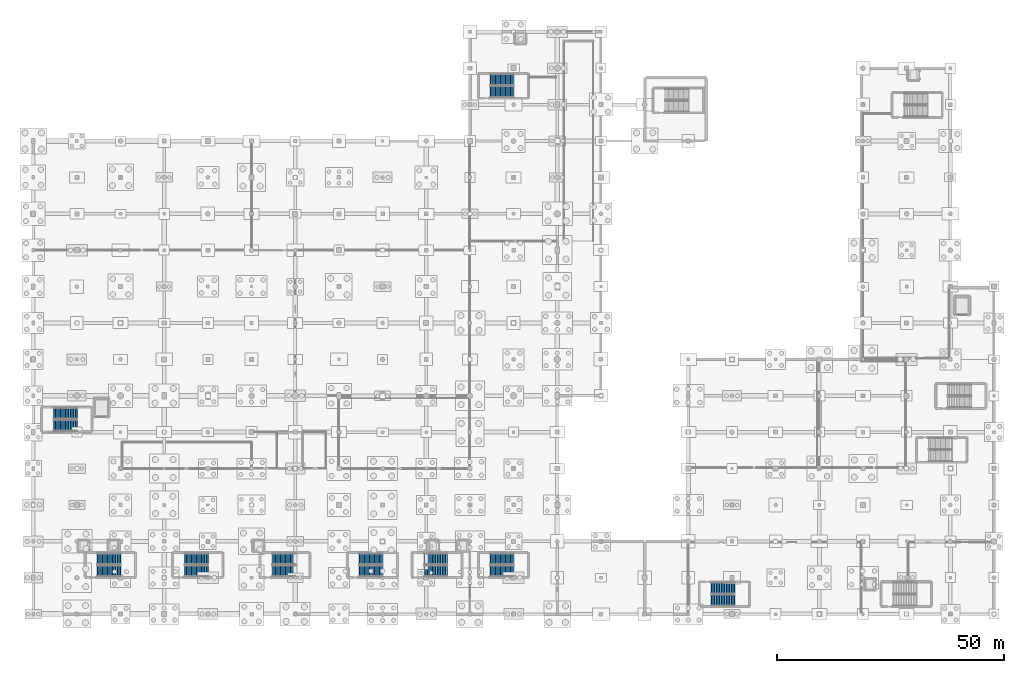
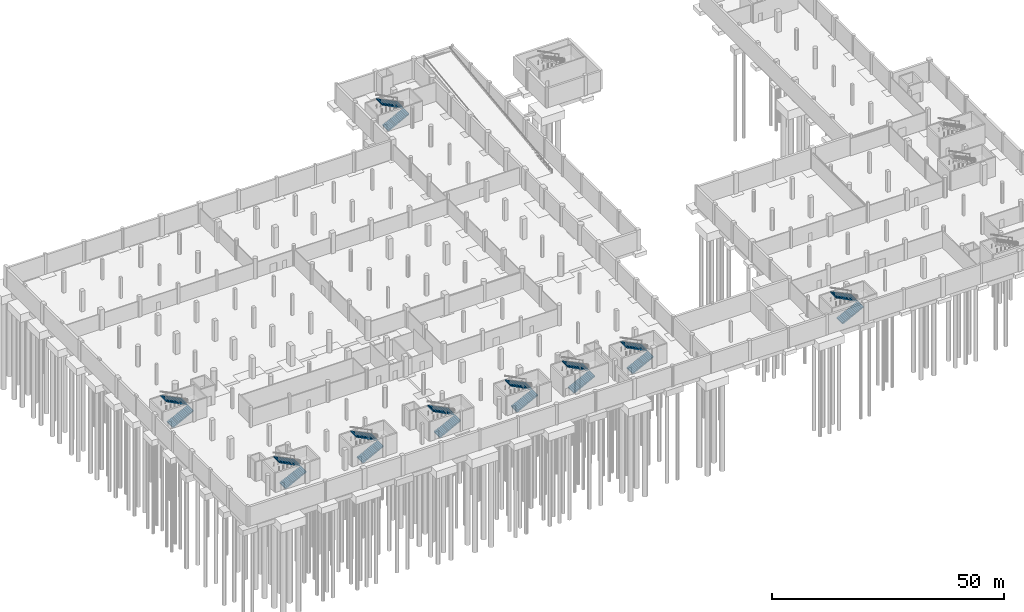
# One storey, part 32 of 44: 18 stair flights, 9 elements without a shape of their own.
"""IFC4 building model written with IfcOpenShell, lengths in metres."""

from ifc_helpers import new_model, si_unit, direction, frame, origin, place, context, subcontext, project, spatial, polyline, outline, extrude, material, type_object, element, aggregate, save


model = new_model("IFC4")

# Units and contexts
model_context = context("Model", 3, precision=1e-05, world=origin(), true_north=direction((0.0, 1.0)))
body_context = subcontext(model_context, "Body", "Model", "MODEL_VIEW")
ifc_project = project(units=[si_unit("LENGTHUNIT", "METRE"), si_unit("AREAUNIT", "SQUARE_METRE"), si_unit("VOLUMEUNIT", "CUBIC_METRE"), si_unit("PLANEANGLEUNIT", "RADIAN"), si_unit("MASSUNIT", "GRAM", prefix="KILO")], contexts=[model_context])

# Site, building, storey
site_placement = place(None, origin())
site = spatial("IfcSite", under=ifc_project, at=site_placement, CompositionType="ELEMENT")
building_placement = place(site_placement, origin())
building = spatial("IfcBuilding", under=site, at=building_placement, Name="Danafjord Basin Convention Centre", CompositionType="ELEMENT")
storey_placement = place(building_placement, frame((0.0, 0.0, -5.39990234375)))
storey = spatial("IfcBuildingStorey", under=building, at=storey_placement, Name="B1", CompositionType="ELEMENT", Elevation=-5.39990234375)

# Stair, stair flights
ifc_material_1 = material(Name="Concrete C40/50", Category="concrete")
stair_type = type_object("IfcStairType", Name="STAIR-STR-C01", PredefinedType="TWO_STRAIGHT_RUN_STAIR", material=ifc_material_1)
stair_1_placement = place(storey_placement, origin())
stair_1 = element("IfcStair", 1, at=stair_1_placement, inside=storey, type_object=stair_type, Name="B1 West Harbour Core Stair 1", PredefinedType="HALF_TURN_STAIR")
ifc_material_2 = material(Name="Precast concrete C40/50", Category="concrete")
stair_flight_type = type_object("IfcStairFlightType", Name="SFLT-STD", PredefinedType="STRAIGHT", material=ifc_material_2)
stair_flight_1_placement = place(storey_placement, frame((14.1298828125, 17.4599609375, 0.0), z_axis=(0.0, 0.0, 1.0), x_axis=(1.0, 0.0, 0.0)))
stair_flight_1 = element("IfcStairFlight", 2, at=stair_flight_1_placement, type_object=stair_flight_type, Name="ST-01 flight 1", NumberOfRisers=15, NumberOfTreads=14, PredefinedType="STRAIGHT", RiserHeight=0.18, TreadLength=0.365, context=body_context, shape_type="SweptSolid", body=[
    extrude(outline(polyline([(-0.06494140625, -0.14990234375), (-0.06494140625, -0.00390625), (0.0, -0.00390625), (0.0, 0.179931640625), (0.364990234375, 0.179931640625), (0.364990234375, 0.360107421875), (0.72998046875, 0.360107421875), (0.72998046875, 0.5400390625), (1.094970703125, 0.5400390625), (1.094970703125, 0.719970703125), (1.4599609375, 0.719970703125), (1.4599609375, 0.89990234375), (1.824951171875, 0.89990234375), (1.824951171875, 1.080078125), (2.18994140625, 1.080078125), (2.18994140625, 1.260009765625), (2.554931640625, 1.260009765625), (2.554931640625, 1.43994140625), (2.919921875, 1.43994140625), (2.919921875, 1.6201171875), (3.284912109375, 1.6201171875), (3.284912109375, 1.800048828125), (3.64990234375, 1.800048828125), (3.64990234375, 1.97998046875), (4.014892578125, 1.97998046875), (4.014892578125, 2.159912109375), (4.3798828125, 2.159912109375), (4.3798828125, 2.340087890625), (4.7451171875, 2.340087890625), (4.7451171875, 2.52001953125), (5.110107421875, 2.52001953125), (5.110107421875, 2.699951171875), (5.175048828125, 2.696044921875), (5.175048828125, 2.352783203125), (0.3388671875, -0.14990234375), (-0.06494140625, -0.14990234375)])), frame((0.0, 1.25, 0.0), z_axis=(0.0, -1.0, 0.0), x_axis=(1.0, 0.0, 0.0)), (0.0, 0.0, 1.0), 2.5),
])
stair_flight_2_placement = place(storey_placement, frame((19.239990234375, 20.10009765625, 2.699951171875), z_axis=(0.0, 0.0, 1.0), x_axis=(-1.0, 0.0, 0.0)))
stair_flight_2 = element("IfcStairFlight", 3, at=stair_flight_2_placement, type_object=stair_flight_type, Name="ST-01 flight 2", NumberOfRisers=15, NumberOfTreads=14, PredefinedType="STRAIGHT", RiserHeight=0.18, TreadLength=0.365, context=body_context, shape_type="SweptSolid", body=[
    extrude(outline(polyline([(-0.06494140625, -0.14990234375), (-0.06494140625, -0.00390625), (0.0, -0.00390625), (0.0, 0.179931640625), (0.364990234375, 0.179931640625), (0.364990234375, 0.360107421875), (0.72998046875, 0.360107421875), (0.72998046875, 0.5400390625), (1.094970703125, 0.5400390625), (1.094970703125, 0.719970703125), (1.4599609375, 0.719970703125), (1.4599609375, 0.89990234375), (1.824951171875, 0.89990234375), (1.824951171875, 1.080078125), (2.18994140625, 1.080078125), (2.18994140625, 1.260009765625), (2.554931640625, 1.260009765625), (2.554931640625, 1.43994140625), (2.919921875, 1.43994140625), (2.919921875, 1.6201171875), (3.284912109375, 1.6201171875), (3.284912109375, 1.800048828125), (3.64990234375, 1.800048828125), (3.64990234375, 1.97998046875), (4.014892578125, 1.97998046875), (4.014892578125, 2.159912109375), (4.3798828125, 2.159912109375), (4.3798828125, 2.340087890625), (4.7451171875, 2.340087890625), (4.7451171875, 2.52001953125), (5.110107421875, 2.52001953125), (5.110107421875, 2.699951171875), (5.175048828125, 2.696044921875), (5.175048828125, 2.352783203125), (0.3388671875, -0.14990234375), (-0.06494140625, -0.14990234375)])), frame((0.0, 1.25, 0.0), z_axis=(0.0, -1.0, 0.0), x_axis=(1.0, 0.0, 0.0)), (0.0, 0.0, 1.0), 2.5),
])
aggregate(stair_1, [stair_flight_1, stair_flight_2])

stair_2_placement = place(storey_placement, origin())
stair_2 = element("IfcStair", 4, at=stair_2_placement, inside=storey, type_object=stair_type, Name="B1 Central Harbour Core Stair 1", PredefinedType="HALF_TURN_STAIR")
stair_flight_3_placement = place(storey_placement, frame((85.929931640625, 17.4599609375, 0.0), z_axis=(0.0, 0.0, 1.0), x_axis=(1.0, 0.0, 0.0)))
stair_flight_3 = element("IfcStairFlight", 5, at=stair_flight_3_placement, type_object=stair_flight_type, Name="ST-03 flight 1", NumberOfRisers=15, NumberOfTreads=14, PredefinedType="STRAIGHT", RiserHeight=0.18, TreadLength=0.365, context=body_context, shape_type="SweptSolid", body=[
    extrude(outline(polyline([(-0.06494140625, -0.14990234375), (-0.06494140625, -0.00390625), (0.0, -0.00390625), (0.0, 0.179931640625), (0.364990234375, 0.179931640625), (0.364990234375, 0.360107421875), (0.72998046875, 0.360107421875), (0.72998046875, 0.5400390625), (1.094970703125, 0.5400390625), (1.094970703125, 0.719970703125), (1.4599609375, 0.719970703125), (1.4599609375, 0.89990234375), (1.824951171875, 0.89990234375), (1.824951171875, 1.080078125), (2.18994140625, 1.080078125), (2.18994140625, 1.260009765625), (2.554931640625, 1.260009765625), (2.554931640625, 1.43994140625), (2.919921875, 1.43994140625), (2.919921875, 1.6201171875), (3.284912109375, 1.6201171875), (3.284912109375, 1.800048828125), (3.64990234375, 1.800048828125), (3.64990234375, 1.97998046875), (4.014892578125, 1.97998046875), (4.014892578125, 2.159912109375), (4.3798828125, 2.159912109375), (4.3798828125, 2.340087890625), (4.7451171875, 2.340087890625), (4.7451171875, 2.52001953125), (5.110107421875, 2.52001953125), (5.110107421875, 2.699951171875), (5.175048828125, 2.696044921875), (5.175048828125, 2.352783203125), (0.3388671875, -0.14990234375), (-0.06494140625, -0.14990234375)])), frame((0.0, 1.25, 0.0), z_axis=(0.0, -1.0, 0.0), x_axis=(1.0, 0.0, 0.0)), (0.0, 0.0, 1.0), 2.5),
])
stair_flight_4_placement = place(storey_placement, frame((91.0400390625, 20.10009765625, 2.699951171875), z_axis=(0.0, 0.0, 1.0), x_axis=(-1.0, 0.0, 0.0)))
stair_flight_4 = element("IfcStairFlight", 6, at=stair_flight_4_placement, type_object=stair_flight_type, Name="ST-03 flight 2", NumberOfRisers=15, NumberOfTreads=14, PredefinedType="STRAIGHT", RiserHeight=0.18, TreadLength=0.365, context=body_context, shape_type="SweptSolid", body=[
    extrude(outline(polyline([(-0.06494140625, -0.14990234375), (-0.06494140625, -0.00390625), (0.0, -0.00390625), (0.0, 0.179931640625), (0.364990234375, 0.179931640625), (0.364990234375, 0.360107421875), (0.72998046875, 0.360107421875), (0.72998046875, 0.5400390625), (1.094970703125, 0.5400390625), (1.094970703125, 0.719970703125), (1.4599609375, 0.719970703125), (1.4599609375, 0.89990234375), (1.824951171875, 0.89990234375), (1.824951171875, 1.080078125), (2.18994140625, 1.080078125), (2.18994140625, 1.260009765625), (2.554931640625, 1.260009765625), (2.554931640625, 1.43994140625), (2.919921875, 1.43994140625), (2.919921875, 1.6201171875), (3.284912109375, 1.6201171875), (3.284912109375, 1.800048828125), (3.64990234375, 1.800048828125), (3.64990234375, 1.97998046875), (4.014892578125, 1.97998046875), (4.014892578125, 2.159912109375), (4.3798828125, 2.159912109375), (4.3798828125, 2.340087890625), (4.7451171875, 2.340087890625), (4.7451171875, 2.52001953125), (5.110107421875, 2.52001953125), (5.110107421875, 2.699951171875), (5.175048828125, 2.696044921875), (5.175048828125, 2.352783203125), (0.3388671875, -0.14990234375), (-0.06494140625, -0.14990234375)])), frame((0.0, 1.25, 0.0), z_axis=(0.0, -1.0, 0.0), x_axis=(1.0, 0.0, 0.0)), (0.0, 0.0, 1.0), 2.5),
])
aggregate(stair_2, [stair_flight_3, stair_flight_4])

stair_3_placement = place(storey_placement, origin())
stair_3 = element("IfcStair", 7, at=stair_3_placement, inside=storey, type_object=stair_type, Name="B1 Mid-Arc Meeting Core Stair 1", PredefinedType="HALF_TURN_STAIR")
stair_flight_5_placement = place(storey_placement, frame((52.530029296875, 17.4599609375, 0.0), z_axis=(0.0, 0.0, 1.0), x_axis=(1.0, 0.0, 0.0)))
stair_flight_5 = element("IfcStairFlight", 8, at=stair_flight_5_placement, type_object=stair_flight_type, Name="ST-05 flight 1", NumberOfRisers=15, NumberOfTreads=14, PredefinedType="STRAIGHT", RiserHeight=0.18, TreadLength=0.365, context=body_context, shape_type="SweptSolid", body=[
    extrude(outline(polyline([(-0.06494140625, -0.14990234375), (-0.06494140625, -0.00390625), (0.0, -0.00390625), (0.0, 0.179931640625), (0.364990234375, 0.179931640625), (0.364990234375, 0.360107421875), (0.72998046875, 0.360107421875), (0.72998046875, 0.5400390625), (1.094970703125, 0.5400390625), (1.094970703125, 0.719970703125), (1.4599609375, 0.719970703125), (1.4599609375, 0.89990234375), (1.824951171875, 0.89990234375), (1.824951171875, 1.080078125), (2.18994140625, 1.080078125), (2.18994140625, 1.260009765625), (2.554931640625, 1.260009765625), (2.554931640625, 1.43994140625), (2.919921875, 1.43994140625), (2.919921875, 1.6201171875), (3.284912109375, 1.6201171875), (3.284912109375, 1.800048828125), (3.64990234375, 1.800048828125), (3.64990234375, 1.97998046875), (4.014892578125, 1.97998046875), (4.014892578125, 2.159912109375), (4.3798828125, 2.159912109375), (4.3798828125, 2.340087890625), (4.7451171875, 2.340087890625), (4.7451171875, 2.52001953125), (5.110107421875, 2.52001953125), (5.110107421875, 2.699951171875), (5.175048828125, 2.696044921875), (5.175048828125, 2.352783203125), (0.3388671875, -0.14990234375), (-0.06494140625, -0.14990234375)])), frame((0.0, 1.25, 0.0), z_axis=(0.0, -1.0, 0.0), x_axis=(1.0, 0.0, 0.0)), (0.0, 0.0, 1.0), 2.5),
])
stair_flight_6_placement = place(storey_placement, frame((57.639892578125, 20.10009765625, 2.699951171875), z_axis=(0.0, 0.0, 1.0), x_axis=(-1.0, 0.0, 0.0)))
stair_flight_6 = element("IfcStairFlight", 9, at=stair_flight_6_placement, type_object=stair_flight_type, Name="ST-05 flight 2", NumberOfRisers=15, NumberOfTreads=14, PredefinedType="STRAIGHT", RiserHeight=0.18, TreadLength=0.365, context=body_context, shape_type="SweptSolid", body=[
    extrude(outline(polyline([(-0.06494140625, -0.14990234375), (-0.06494140625, -0.00390625), (0.0, -0.00390625), (0.0, 0.179931640625), (0.364990234375, 0.179931640625), (0.364990234375, 0.360107421875), (0.72998046875, 0.360107421875), (0.72998046875, 0.5400390625), (1.094970703125, 0.5400390625), (1.094970703125, 0.719970703125), (1.4599609375, 0.719970703125), (1.4599609375, 0.89990234375), (1.824951171875, 0.89990234375), (1.824951171875, 1.080078125), (2.18994140625, 1.080078125), (2.18994140625, 1.260009765625), (2.554931640625, 1.260009765625), (2.554931640625, 1.43994140625), (2.919921875, 1.43994140625), (2.919921875, 1.6201171875), (3.284912109375, 1.6201171875), (3.284912109375, 1.800048828125), (3.64990234375, 1.800048828125), (3.64990234375, 1.97998046875), (4.014892578125, 1.97998046875), (4.014892578125, 2.159912109375), (4.3798828125, 2.159912109375), (4.3798828125, 2.340087890625), (4.7451171875, 2.340087890625), (4.7451171875, 2.52001953125), (5.110107421875, 2.52001953125), (5.110107421875, 2.699951171875), (5.175048828125, 2.696044921875), (5.175048828125, 2.352783203125), (0.3388671875, -0.14990234375), (-0.06494140625, -0.14990234375)])), frame((0.0, 1.25, 0.0), z_axis=(0.0, -1.0, 0.0), x_axis=(1.0, 0.0, 0.0)), (0.0, 0.0, 1.0), 2.5),
])
aggregate(stair_3, [stair_flight_5, stair_flight_6])

stair_4_placement = place(storey_placement, origin())
stair_4 = element("IfcStair", 10, at=stair_4_placement, inside=storey, type_object=stair_type, Name="B1 West Exhibition Core Stair 1", PredefinedType="HALF_TURN_STAIR")
stair_flight_7_placement = place(storey_placement, frame((4.530029296875, 49.4599609375, 0.0), z_axis=(0.0, 0.0, 1.0), x_axis=(1.0, 0.0, 0.0)))
stair_flight_7 = element("IfcStairFlight", 11, at=stair_flight_7_placement, type_object=stair_flight_type, Name="ST-07 flight 1", NumberOfRisers=15, NumberOfTreads=14, PredefinedType="STRAIGHT", RiserHeight=0.18, TreadLength=0.365, context=body_context, shape_type="SweptSolid", body=[
    extrude(outline(polyline([(-0.06494140625, -0.14990234375), (-0.06494140625, -0.00390625), (0.0, -0.00390625), (0.0, 0.179931640625), (0.364990234375, 0.179931640625), (0.364990234375, 0.360107421875), (0.72998046875, 0.360107421875), (0.72998046875, 0.5400390625), (1.094970703125, 0.5400390625), (1.094970703125, 0.719970703125), (1.4599609375, 0.719970703125), (1.4599609375, 0.89990234375), (1.824951171875, 0.89990234375), (1.824951171875, 1.080078125), (2.18994140625, 1.080078125), (2.18994140625, 1.260009765625), (2.554931640625, 1.260009765625), (2.554931640625, 1.43994140625), (2.919921875, 1.43994140625), (2.919921875, 1.6201171875), (3.284912109375, 1.6201171875), (3.284912109375, 1.800048828125), (3.64990234375, 1.800048828125), (3.64990234375, 1.97998046875), (4.014892578125, 1.97998046875), (4.014892578125, 2.159912109375), (4.3798828125, 2.159912109375), (4.3798828125, 2.340087890625), (4.7451171875, 2.340087890625), (4.7451171875, 2.52001953125), (5.110107421875, 2.52001953125), (5.110107421875, 2.699951171875), (5.175048828125, 2.696044921875), (5.175048828125, 2.352783203125), (0.3388671875, -0.14990234375), (-0.06494140625, -0.14990234375)])), frame((0.0, 1.25, 0.0), z_axis=(0.0, -1.0, 0.0), x_axis=(1.0, 0.0, 0.0)), (0.0, 0.0, 1.0), 2.5),
])
stair_flight_8_placement = place(storey_placement, frame((9.639892578125, 52.10009765625, 2.699951171875), z_axis=(0.0, 0.0, 1.0), x_axis=(-1.0, 0.0, 0.0)))
stair_flight_8 = element("IfcStairFlight", 12, at=stair_flight_8_placement, type_object=stair_flight_type, Name="ST-07 flight 2", NumberOfRisers=15, NumberOfTreads=14, PredefinedType="STRAIGHT", RiserHeight=0.18, TreadLength=0.365, context=body_context, shape_type="SweptSolid", body=[
    extrude(outline(polyline([(-0.06494140625, -0.14990234375), (-0.06494140625, -0.00390625), (0.0, -0.00390625), (0.0, 0.179931640625), (0.364990234375, 0.179931640625), (0.364990234375, 0.360107421875), (0.72998046875, 0.360107421875), (0.72998046875, 0.5400390625), (1.094970703125, 0.5400390625), (1.094970703125, 0.719970703125), (1.4599609375, 0.719970703125), (1.4599609375, 0.89990234375), (1.824951171875, 0.89990234375), (1.824951171875, 1.080078125), (2.18994140625, 1.080078125), (2.18994140625, 1.260009765625), (2.554931640625, 1.260009765625), (2.554931640625, 1.43994140625), (2.919921875, 1.43994140625), (2.919921875, 1.6201171875), (3.284912109375, 1.6201171875), (3.284912109375, 1.800048828125), (3.64990234375, 1.800048828125), (3.64990234375, 1.97998046875), (4.014892578125, 1.97998046875), (4.014892578125, 2.159912109375), (4.3798828125, 2.159912109375), (4.3798828125, 2.340087890625), (4.7451171875, 2.340087890625), (4.7451171875, 2.52001953125), (5.110107421875, 2.52001953125), (5.110107421875, 2.699951171875), (5.175048828125, 2.696044921875), (5.175048828125, 2.352783203125), (0.3388671875, -0.14990234375), (-0.06494140625, -0.14990234375)])), frame((0.0, 1.25, 0.0), z_axis=(0.0, -1.0, 0.0), x_axis=(1.0, 0.0, 0.0)), (0.0, 0.0, 1.0), 2.5),
])
aggregate(stair_4, [stair_flight_7, stair_flight_8])

stair_5_placement = place(storey_placement, origin())
stair_5 = element("IfcStair", 13, at=stair_5_placement, inside=storey, type_object=stair_type, Name="B1 North Exhibition Core Stair 1", PredefinedType="HALF_TURN_STAIR")
stair_flight_9_placement = place(storey_placement, frame((100.530029296875, 122.81005859375, 0.0), z_axis=(0.0, 0.0, 1.0), x_axis=(1.0, 0.0, 0.0)))
stair_flight_9 = element("IfcStairFlight", 14, at=stair_flight_9_placement, type_object=stair_flight_type, Name="ST-09 flight 1", NumberOfRisers=15, NumberOfTreads=14, PredefinedType="STRAIGHT", RiserHeight=0.18, TreadLength=0.365, context=body_context, shape_type="SweptSolid", body=[
    extrude(outline(polyline([(-0.06494140625, -0.14990234375), (-0.06494140625, -0.00390625), (0.0, -0.00390625), (0.0, 0.179931640625), (0.364990234375, 0.179931640625), (0.364990234375, 0.360107421875), (0.72998046875, 0.360107421875), (0.72998046875, 0.5400390625), (1.094970703125, 0.5400390625), (1.094970703125, 0.719970703125), (1.4599609375, 0.719970703125), (1.4599609375, 0.89990234375), (1.824951171875, 0.89990234375), (1.824951171875, 1.080078125), (2.18994140625, 1.080078125), (2.18994140625, 1.260009765625), (2.554931640625, 1.260009765625), (2.554931640625, 1.43994140625), (2.919921875, 1.43994140625), (2.919921875, 1.6201171875), (3.284912109375, 1.6201171875), (3.284912109375, 1.800048828125), (3.64990234375, 1.800048828125), (3.64990234375, 1.97998046875), (4.014892578125, 1.97998046875), (4.014892578125, 2.159912109375), (4.3798828125, 2.159912109375), (4.3798828125, 2.340087890625), (4.7451171875, 2.340087890625), (4.7451171875, 2.52001953125), (5.110107421875, 2.52001953125), (5.110107421875, 2.699951171875), (5.175048828125, 2.696044921875), (5.175048828125, 2.352783203125), (0.3388671875, -0.14990234375), (-0.06494140625, -0.14990234375)])), frame((0.0, 1.25, 0.0), z_axis=(0.0, -1.0, 0.0), x_axis=(1.0, 0.0, 0.0)), (0.0, 0.0, 1.0), 2.5),
])
stair_flight_10_placement = place(storey_placement, frame((105.639892578125, 125.449951171875, 2.699951171875), z_axis=(0.0, 0.0, 1.0), x_axis=(-1.0, 0.0, 0.0)))
stair_flight_10 = element("IfcStairFlight", 15, at=stair_flight_10_placement, type_object=stair_flight_type, Name="ST-09 flight 2", NumberOfRisers=15, NumberOfTreads=14, PredefinedType="STRAIGHT", RiserHeight=0.18, TreadLength=0.365, context=body_context, shape_type="SweptSolid", body=[
    extrude(outline(polyline([(-0.06494140625, -0.14990234375), (-0.06494140625, -0.00390625), (0.0, -0.00390625), (0.0, 0.179931640625), (0.364990234375, 0.179931640625), (0.364990234375, 0.360107421875), (0.72998046875, 0.360107421875), (0.72998046875, 0.5400390625), (1.094970703125, 0.5400390625), (1.094970703125, 0.719970703125), (1.4599609375, 0.719970703125), (1.4599609375, 0.89990234375), (1.824951171875, 0.89990234375), (1.824951171875, 1.080078125), (2.18994140625, 1.080078125), (2.18994140625, 1.260009765625), (2.554931640625, 1.260009765625), (2.554931640625, 1.43994140625), (2.919921875, 1.43994140625), (2.919921875, 1.6201171875), (3.284912109375, 1.6201171875), (3.284912109375, 1.800048828125), (3.64990234375, 1.800048828125), (3.64990234375, 1.97998046875), (4.014892578125, 1.97998046875), (4.014892578125, 2.159912109375), (4.3798828125, 2.159912109375), (4.3798828125, 2.340087890625), (4.7451171875, 2.340087890625), (4.7451171875, 2.52001953125), (5.110107421875, 2.52001953125), (5.110107421875, 2.699951171875), (5.175048828125, 2.696044921875), (5.175048828125, 2.352783203125), (0.3388671875, -0.14990234375), (-0.06494140625, -0.14990234375)])), frame((0.0, 1.25, 0.0), z_axis=(0.0, -1.0, 0.0), x_axis=(1.0, 0.0, 0.0)), (0.0, 0.0, 1.0), 2.5),
])
aggregate(stair_5, [stair_flight_9, stair_flight_10])

stair_6_placement = place(storey_placement, origin())
stair_6 = element("IfcStair", 16, at=stair_6_placement, inside=storey, type_object=stair_type, Name="B1 West Harbour Escape Stair 2", PredefinedType="HALF_TURN_STAIR")
stair_flight_11_placement = place(storey_placement, frame((33.330078125, 17.4599609375, 0.0), z_axis=(0.0, 0.0, 1.0), x_axis=(1.0, 0.0, 0.0)))
stair_flight_11 = element("IfcStairFlight", 17, at=stair_flight_11_placement, type_object=stair_flight_type, Name="ST-02 flight 1", NumberOfRisers=15, NumberOfTreads=14, PredefinedType="STRAIGHT", RiserHeight=0.18, TreadLength=0.365, context=body_context, shape_type="SweptSolid", body=[
    extrude(outline(polyline([(-0.06494140625, -0.14990234375), (-0.06494140625, -0.00390625), (0.0, -0.00390625), (0.0, 0.179931640625), (0.364990234375, 0.179931640625), (0.364990234375, 0.360107421875), (0.72998046875, 0.360107421875), (0.72998046875, 0.5400390625), (1.094970703125, 0.5400390625), (1.094970703125, 0.719970703125), (1.4599609375, 0.719970703125), (1.4599609375, 0.89990234375), (1.824951171875, 0.89990234375), (1.824951171875, 1.080078125), (2.18994140625, 1.080078125), (2.18994140625, 1.260009765625), (2.554931640625, 1.260009765625), (2.554931640625, 1.43994140625), (2.919921875, 1.43994140625), (2.919921875, 1.6201171875), (3.284912109375, 1.6201171875), (3.284912109375, 1.800048828125), (3.64990234375, 1.800048828125), (3.64990234375, 1.97998046875), (4.014892578125, 1.97998046875), (4.014892578125, 2.159912109375), (4.3798828125, 2.159912109375), (4.3798828125, 2.340087890625), (4.7451171875, 2.340087890625), (4.7451171875, 2.52001953125), (5.110107421875, 2.52001953125), (5.110107421875, 2.699951171875), (5.175048828125, 2.696044921875), (5.175048828125, 2.352783203125), (0.3388671875, -0.14990234375), (-0.06494140625, -0.14990234375)])), frame((0.0, 1.25, 0.0), z_axis=(0.0, -1.0, 0.0), x_axis=(1.0, 0.0, 0.0)), (0.0, 0.0, 1.0), 2.5),
])
stair_flight_12_placement = place(storey_placement, frame((38.43994140625, 20.10009765625, 2.699951171875), z_axis=(0.0, 0.0, 1.0), x_axis=(-1.0, 0.0, 0.0)))
stair_flight_12 = element("IfcStairFlight", 18, at=stair_flight_12_placement, type_object=stair_flight_type, Name="ST-02 flight 2", NumberOfRisers=15, NumberOfTreads=14, PredefinedType="STRAIGHT", RiserHeight=0.18, TreadLength=0.365, context=body_context, shape_type="SweptSolid", body=[
    extrude(outline(polyline([(-0.06494140625, -0.14990234375), (-0.06494140625, -0.00390625), (0.0, -0.00390625), (0.0, 0.179931640625), (0.364990234375, 0.179931640625), (0.364990234375, 0.360107421875), (0.72998046875, 0.360107421875), (0.72998046875, 0.5400390625), (1.094970703125, 0.5400390625), (1.094970703125, 0.719970703125), (1.4599609375, 0.719970703125), (1.4599609375, 0.89990234375), (1.824951171875, 0.89990234375), (1.824951171875, 1.080078125), (2.18994140625, 1.080078125), (2.18994140625, 1.260009765625), (2.554931640625, 1.260009765625), (2.554931640625, 1.43994140625), (2.919921875, 1.43994140625), (2.919921875, 1.6201171875), (3.284912109375, 1.6201171875), (3.284912109375, 1.800048828125), (3.64990234375, 1.800048828125), (3.64990234375, 1.97998046875), (4.014892578125, 1.97998046875), (4.014892578125, 2.159912109375), (4.3798828125, 2.159912109375), (4.3798828125, 2.340087890625), (4.7451171875, 2.340087890625), (4.7451171875, 2.52001953125), (5.110107421875, 2.52001953125), (5.110107421875, 2.699951171875), (5.175048828125, 2.696044921875), (5.175048828125, 2.352783203125), (0.3388671875, -0.14990234375), (-0.06494140625, -0.14990234375)])), frame((0.0, 1.25, 0.0), z_axis=(0.0, -1.0, 0.0), x_axis=(1.0, 0.0, 0.0)), (0.0, 0.0, 1.0), 2.5),
])
aggregate(stair_6, [stair_flight_11, stair_flight_12])

stair_7_placement = place(storey_placement, origin())
stair_7 = element("IfcStair", 19, at=stair_7_placement, inside=storey, type_object=stair_type, Name="B1 East Harbour Escape Stair 2", PredefinedType="HALF_TURN_STAIR")
stair_flight_13_placement = place(storey_placement, frame((100.530029296875, 17.4599609375, 0.0), z_axis=(0.0, 0.0, 1.0), x_axis=(1.0, 0.0, 0.0)))
stair_flight_13 = element("IfcStairFlight", 20, at=stair_flight_13_placement, type_object=stair_flight_type, Name="ST-04 flight 1", NumberOfRisers=15, NumberOfTreads=14, PredefinedType="STRAIGHT", RiserHeight=0.18, TreadLength=0.365, context=body_context, shape_type="SweptSolid", body=[
    extrude(outline(polyline([(-0.06494140625, -0.14990234375), (-0.06494140625, -0.00390625), (0.0, -0.00390625), (0.0, 0.179931640625), (0.364990234375, 0.179931640625), (0.364990234375, 0.360107421875), (0.72998046875, 0.360107421875), (0.72998046875, 0.5400390625), (1.094970703125, 0.5400390625), (1.094970703125, 0.719970703125), (1.4599609375, 0.719970703125), (1.4599609375, 0.89990234375), (1.824951171875, 0.89990234375), (1.824951171875, 1.080078125), (2.18994140625, 1.080078125), (2.18994140625, 1.260009765625), (2.554931640625, 1.260009765625), (2.554931640625, 1.43994140625), (2.919921875, 1.43994140625), (2.919921875, 1.6201171875), (3.284912109375, 1.6201171875), (3.284912109375, 1.800048828125), (3.64990234375, 1.800048828125), (3.64990234375, 1.97998046875), (4.014892578125, 1.97998046875), (4.014892578125, 2.159912109375), (4.3798828125, 2.159912109375), (4.3798828125, 2.340087890625), (4.7451171875, 2.340087890625), (4.7451171875, 2.52001953125), (5.110107421875, 2.52001953125), (5.110107421875, 2.699951171875), (5.175048828125, 2.696044921875), (5.175048828125, 2.352783203125), (0.3388671875, -0.14990234375), (-0.06494140625, -0.14990234375)])), frame((0.0, 1.25, 0.0), z_axis=(0.0, -1.0, 0.0), x_axis=(1.0, 0.0, 0.0)), (0.0, 0.0, 1.0), 2.5),
])
stair_flight_14_placement = place(storey_placement, frame((105.639892578125, 20.10009765625, 2.699951171875), z_axis=(0.0, 0.0, 1.0), x_axis=(-1.0, 0.0, 0.0)))
stair_flight_14 = element("IfcStairFlight", 21, at=stair_flight_14_placement, type_object=stair_flight_type, Name="ST-04 flight 2", NumberOfRisers=15, NumberOfTreads=14, PredefinedType="STRAIGHT", RiserHeight=0.18, TreadLength=0.365, context=body_context, shape_type="SweptSolid", body=[
    extrude(outline(polyline([(-0.06494140625, -0.14990234375), (-0.06494140625, -0.00390625), (0.0, -0.00390625), (0.0, 0.179931640625), (0.364990234375, 0.179931640625), (0.364990234375, 0.360107421875), (0.72998046875, 0.360107421875), (0.72998046875, 0.5400390625), (1.094970703125, 0.5400390625), (1.094970703125, 0.719970703125), (1.4599609375, 0.719970703125), (1.4599609375, 0.89990234375), (1.824951171875, 0.89990234375), (1.824951171875, 1.080078125), (2.18994140625, 1.080078125), (2.18994140625, 1.260009765625), (2.554931640625, 1.260009765625), (2.554931640625, 1.43994140625), (2.919921875, 1.43994140625), (2.919921875, 1.6201171875), (3.284912109375, 1.6201171875), (3.284912109375, 1.800048828125), (3.64990234375, 1.800048828125), (3.64990234375, 1.97998046875), (4.014892578125, 1.97998046875), (4.014892578125, 2.159912109375), (4.3798828125, 2.159912109375), (4.3798828125, 2.340087890625), (4.7451171875, 2.340087890625), (4.7451171875, 2.52001953125), (5.110107421875, 2.52001953125), (5.110107421875, 2.699951171875), (5.175048828125, 2.696044921875), (5.175048828125, 2.352783203125), (0.3388671875, -0.14990234375), (-0.06494140625, -0.14990234375)])), frame((0.0, 1.25, 0.0), z_axis=(0.0, -1.0, 0.0), x_axis=(1.0, 0.0, 0.0)), (0.0, 0.0, 1.0), 2.5),
])
aggregate(stair_7, [stair_flight_13, stair_flight_14])

stair_8_placement = place(storey_placement, origin())
stair_8 = element("IfcStair", 22, at=stair_8_placement, inside=storey, type_object=stair_type, Name="B1 Mid-Arc Escape Stair 2", PredefinedType="HALF_TURN_STAIR")
stair_flight_15_placement = place(storey_placement, frame((71.72998046875, 17.4599609375, 0.0), z_axis=(0.0, 0.0, 1.0), x_axis=(1.0, 0.0, 0.0)))
stair_flight_15 = element("IfcStairFlight", 23, at=stair_flight_15_placement, type_object=stair_flight_type, Name="ST-06 flight 1", NumberOfRisers=15, NumberOfTreads=14, PredefinedType="STRAIGHT", RiserHeight=0.18, TreadLength=0.365, context=body_context, shape_type="SweptSolid", body=[
    extrude(outline(polyline([(-0.06494140625, -0.14990234375), (-0.06494140625, -0.00390625), (0.0, -0.00390625), (0.0, 0.179931640625), (0.364990234375, 0.179931640625), (0.364990234375, 0.360107421875), (0.72998046875, 0.360107421875), (0.72998046875, 0.5400390625), (1.094970703125, 0.5400390625), (1.094970703125, 0.719970703125), (1.4599609375, 0.719970703125), (1.4599609375, 0.89990234375), (1.824951171875, 0.89990234375), (1.824951171875, 1.080078125), (2.18994140625, 1.080078125), (2.18994140625, 1.260009765625), (2.554931640625, 1.260009765625), (2.554931640625, 1.43994140625), (2.919921875, 1.43994140625), (2.919921875, 1.6201171875), (3.284912109375, 1.6201171875), (3.284912109375, 1.800048828125), (3.64990234375, 1.800048828125), (3.64990234375, 1.97998046875), (4.014892578125, 1.97998046875), (4.014892578125, 2.159912109375), (4.3798828125, 2.159912109375), (4.3798828125, 2.340087890625), (4.7451171875, 2.340087890625), (4.7451171875, 2.52001953125), (5.110107421875, 2.52001953125), (5.110107421875, 2.699951171875), (5.175048828125, 2.696044921875), (5.175048828125, 2.352783203125), (0.3388671875, -0.14990234375), (-0.06494140625, -0.14990234375)])), frame((0.0, 1.25, 0.0), z_axis=(0.0, -1.0, 0.0), x_axis=(1.0, 0.0, 0.0)), (0.0, 0.0, 1.0), 2.5),
])
stair_flight_16_placement = place(storey_placement, frame((76.840087890625, 20.10009765625, 2.699951171875), z_axis=(0.0, 0.0, 1.0), x_axis=(-1.0, 0.0, 0.0)))
stair_flight_16 = element("IfcStairFlight", 24, at=stair_flight_16_placement, type_object=stair_flight_type, Name="ST-06 flight 2", NumberOfRisers=15, NumberOfTreads=14, PredefinedType="STRAIGHT", RiserHeight=0.18, TreadLength=0.365, context=body_context, shape_type="SweptSolid", body=[
    extrude(outline(polyline([(-0.06494140625, -0.14990234375), (-0.06494140625, -0.00390625), (0.0, -0.00390625), (0.0, 0.179931640625), (0.364990234375, 0.179931640625), (0.364990234375, 0.360107421875), (0.72998046875, 0.360107421875), (0.72998046875, 0.5400390625), (1.094970703125, 0.5400390625), (1.094970703125, 0.719970703125), (1.4599609375, 0.719970703125), (1.4599609375, 0.89990234375), (1.824951171875, 0.89990234375), (1.824951171875, 1.080078125), (2.18994140625, 1.080078125), (2.18994140625, 1.260009765625), (2.554931640625, 1.260009765625), (2.554931640625, 1.43994140625), (2.919921875, 1.43994140625), (2.919921875, 1.6201171875), (3.284912109375, 1.6201171875), (3.284912109375, 1.800048828125), (3.64990234375, 1.800048828125), (3.64990234375, 1.97998046875), (4.014892578125, 1.97998046875), (4.014892578125, 2.159912109375), (4.3798828125, 2.159912109375), (4.3798828125, 2.340087890625), (4.7451171875, 2.340087890625), (4.7451171875, 2.52001953125), (5.110107421875, 2.52001953125), (5.110107421875, 2.699951171875), (5.175048828125, 2.696044921875), (5.175048828125, 2.352783203125), (0.3388671875, -0.14990234375), (-0.06494140625, -0.14990234375)])), frame((0.0, 1.25, 0.0), z_axis=(0.0, -1.0, 0.0), x_axis=(1.0, 0.0, 0.0)), (0.0, 0.0, 1.0), 2.5),
])
aggregate(stair_8, [stair_flight_15, stair_flight_16])

stair_9_placement = place(storey_placement, origin())
stair_9 = element("IfcStair", 25, at=stair_9_placement, inside=storey, type_object=stair_type, Name="B1 Harbour Pavilion West Escape Stair", PredefinedType="HALF_TURN_STAIR")
stair_flight_17_placement = place(storey_placement, frame((149.080078125, 11.06005859375, 0.0), z_axis=(0.0, 0.0, 1.0), x_axis=(1.0, 0.0, 0.0)))
stair_flight_17 = element("IfcStairFlight", 26, at=stair_flight_17_placement, type_object=stair_flight_type, Name="ST-16 flight 1", NumberOfRisers=15, NumberOfTreads=14, PredefinedType="STRAIGHT", RiserHeight=0.18, TreadLength=0.365, context=body_context, shape_type="SweptSolid", body=[
    extrude(outline(polyline([(-0.06494140625, -0.14990234375), (-0.06494140625, -0.00390625), (0.0, -0.00390625), (0.0, 0.179931640625), (0.364990234375, 0.179931640625), (0.364990234375, 0.360107421875), (0.72998046875, 0.360107421875), (0.72998046875, 0.5400390625), (1.094970703125, 0.5400390625), (1.094970703125, 0.719970703125), (1.4599609375, 0.719970703125), (1.4599609375, 0.89990234375), (1.824951171875, 0.89990234375), (1.824951171875, 1.080078125), (2.18994140625, 1.080078125), (2.18994140625, 1.260009765625), (2.554931640625, 1.260009765625), (2.554931640625, 1.43994140625), (2.919921875, 1.43994140625), (2.919921875, 1.6201171875), (3.284912109375, 1.6201171875), (3.284912109375, 1.800048828125), (3.64990234375, 1.800048828125), (3.64990234375, 1.97998046875), (4.014892578125, 1.97998046875), (4.014892578125, 2.159912109375), (4.3798828125, 2.159912109375), (4.3798828125, 2.340087890625), (4.7451171875, 2.340087890625), (4.7451171875, 2.52001953125), (5.110107421875, 2.52001953125), (5.110107421875, 2.699951171875), (5.175048828125, 2.696044921875), (5.175048828125, 2.352783203125), (0.3388671875, -0.14990234375), (-0.06494140625, -0.14990234375)])), frame((0.0, 1.25, 0.0), z_axis=(0.0, -1.0, 0.0), x_axis=(1.0, 0.0, 0.0)), (0.0, 0.0, 1.0), 2.5),
])
stair_flight_18_placement = place(storey_placement, frame((154.18994140625, 13.699951171875, 2.699951171875), z_axis=(0.0, 0.0, 1.0), x_axis=(-1.0, 0.0, 0.0)))
stair_flight_18 = element("IfcStairFlight", 27, at=stair_flight_18_placement, type_object=stair_flight_type, Name="ST-16 flight 2", NumberOfRisers=15, NumberOfTreads=14, PredefinedType="STRAIGHT", RiserHeight=0.18, TreadLength=0.365, context=body_context, shape_type="SweptSolid", body=[
    extrude(outline(polyline([(-0.06494140625, -0.14990234375), (-0.06494140625, -0.00390625), (0.0, -0.00390625), (0.0, 0.179931640625), (0.364990234375, 0.179931640625), (0.364990234375, 0.360107421875), (0.72998046875, 0.360107421875), (0.72998046875, 0.5400390625), (1.094970703125, 0.5400390625), (1.094970703125, 0.719970703125), (1.4599609375, 0.719970703125), (1.4599609375, 0.89990234375), (1.824951171875, 0.89990234375), (1.824951171875, 1.080078125), (2.18994140625, 1.080078125), (2.18994140625, 1.260009765625), (2.554931640625, 1.260009765625), (2.554931640625, 1.43994140625), (2.919921875, 1.43994140625), (2.919921875, 1.6201171875), (3.284912109375, 1.6201171875), (3.284912109375, 1.800048828125), (3.64990234375, 1.800048828125), (3.64990234375, 1.97998046875), (4.014892578125, 1.97998046875), (4.014892578125, 2.159912109375), (4.3798828125, 2.159912109375), (4.3798828125, 2.340087890625), (4.7451171875, 2.340087890625), (4.7451171875, 2.52001953125), (5.110107421875, 2.52001953125), (5.110107421875, 2.699951171875), (5.175048828125, 2.696044921875), (5.175048828125, 2.352783203125), (0.3388671875, -0.14990234375), (-0.06494140625, -0.14990234375)])), frame((0.0, 1.25, 0.0), z_axis=(0.0, -1.0, 0.0), x_axis=(1.0, 0.0, 0.0)), (0.0, 0.0, 1.0), 2.5),
])
aggregate(stair_9, [stair_flight_17, stair_flight_18])

save(model, "model.ifc")
